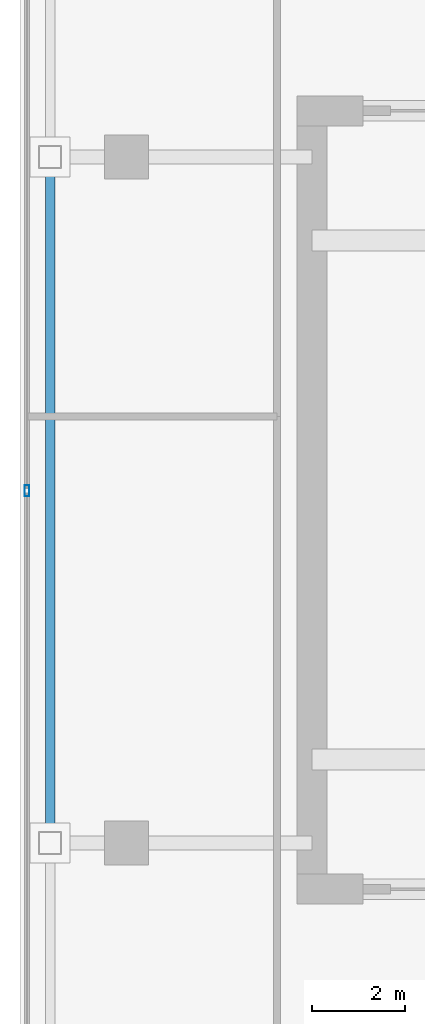
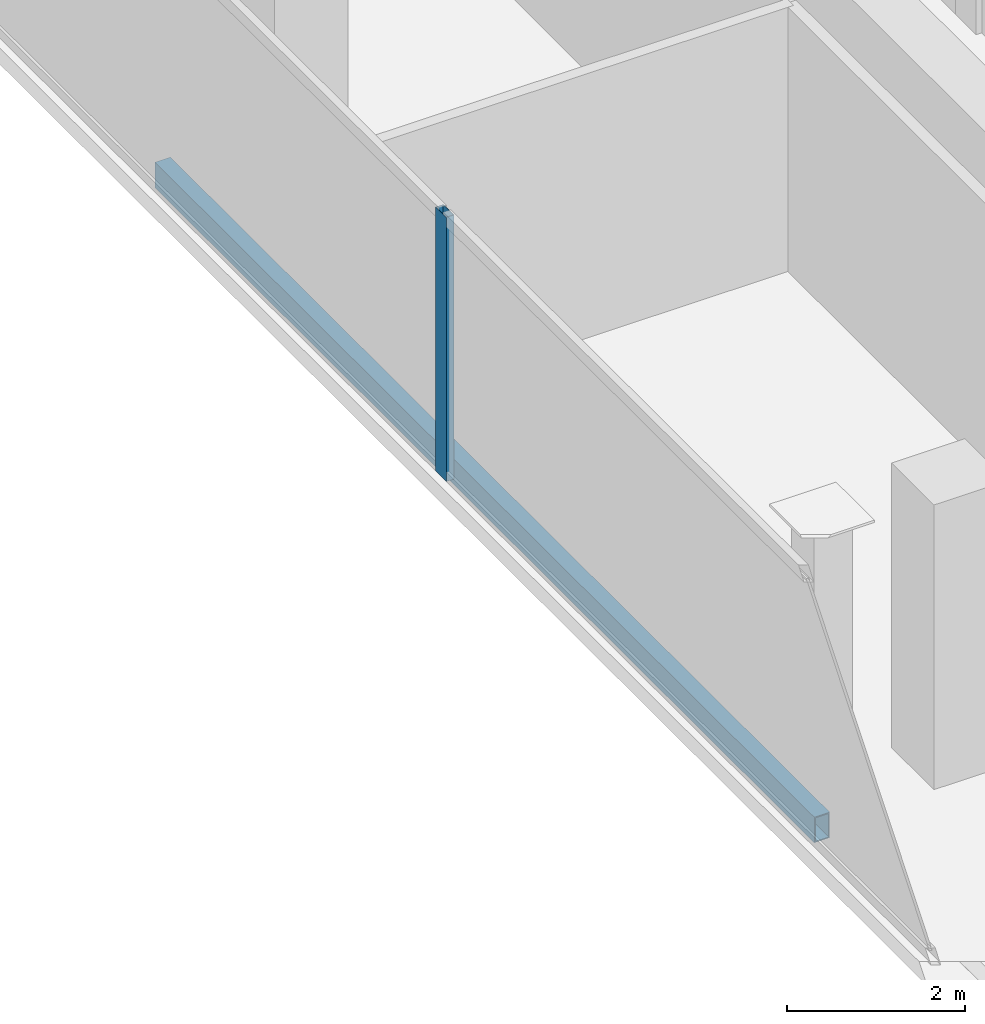
# One storey, part 5 of 22: 1 beam, 1 member, 1 element without a shape of its own.
"""IFC4 building model written with IfcOpenShell, lengths in metres."""

import ifcopenshell
import ifcopenshell.guid

model = None  # the IFC model being written
_history = None  # IfcOwnerHistory: only IFC2X3 demands one
_inside = {}  # id of a spatial element -> (the spatial element, [elements in it])
_under = {}  # id of a project, library or spatial element -> (it, [spatial elements below it])
_declared = {}  # id of a project -> (the project, [libraries it declares])
_typed = {}  # id of a type object -> (the type object, [elements of that type])
_made_of = {}  # id of a material, layer set ... -> (it, [elements and type objects made of it])


def new_model(schema):
    """Start an empty IFC model of exactly this schema.

    Asked for "IFC4X3", IfcOpenShell would pick the latest addendum, in which some entities
    have other attributes; the version numbers below select the first issue.
    IFC2X3 requires an IfcOwnerHistory on every rooted entity: one is made here for all.
    """
    global model, _history
    if schema == "IFC4X3":
        model = ifcopenshell.file(schema_version=(4, 3, 0, 0))
    else:
        model = ifcopenshell.file(schema=schema)
    _inside.clear()
    _under.clear()
    _declared.clear()
    _typed.clear()
    _made_of.clear()
    _history = None
    if model.schema == "IFC2X3":
        org = make("IfcOrganization", Name="unknown")
        user = make(
            "IfcPersonAndOrganization",
            ThePerson=make("IfcPerson", FamilyName="unknown"),
            TheOrganization=org,
        )
        app = make(
            "IfcApplication",
            ApplicationDeveloper=org,
            Version="unknown",
            ApplicationFullName="unknown",
            ApplicationIdentifier="unknown",
        )
        _history = make(
            "IfcOwnerHistory",
            OwningUser=user,
            OwningApplication=app,
            ChangeAction="ADDED",
            CreationDate=0,
        )
    return model


def make(cls, **values):
    """One entity of the class cls with the attributes given. An attribute that is None is left unset."""
    return model.create_entity(
        cls, **{name: value for name, value in values.items() if value is not None}
    )


def rooted(cls, **values):
    """An entity with a GlobalId (a new one), such as an element, a storey or a relation."""
    return make(cls, GlobalId=ifcopenshell.guid.new(), OwnerHistory=_history, **values)


def si_unit(unit_type, name, prefix=None):
    """IfcSIUnit, for example si_unit("LENGTHUNIT", "METRE", prefix="MILLI")."""
    return make("IfcSIUnit", UnitType=unit_type, Prefix=prefix, Name=name)


def assignment(units):
    """IfcUnitAssignment: the units of a project."""
    return None if units is None else make("IfcUnitAssignment", Units=units)


def point(xyz):
    """IfcCartesianPoint."""
    return None if xyz is None else make("IfcCartesianPoint", Coordinates=xyz)


def direction(xyz):
    """IfcDirection."""
    return None if xyz is None else make("IfcDirection", DirectionRatios=xyz)


def frame(location, z_axis=None, x_axis=None):
    """IfcAxis2Placement3D, a coordinate frame: its origin and axes. An axis left out is left unset."""
    return make(
        "IfcAxis2Placement3D",
        Location=point(location),
        Axis=direction(z_axis),
        RefDirection=direction(x_axis),
    )


def frame_2d(location, x_axis=None):
    """IfcAxis2Placement2D, a coordinate frame in the plane: its origin and x axis."""
    return make(
        "IfcAxis2Placement2D", Location=point(location), RefDirection=direction(x_axis)
    )


def origin():
    """The frame at (0, 0, 0) with its axes left unset."""
    return frame((0.0, 0.0, 0.0))


def origin_2d():
    """The frame at (0, 0) in the plane with its x axis left unset."""
    return frame_2d((0.0, 0.0))


def place(relative_to, where):
    """IfcLocalPlacement: puts the frame where relative to a parent placement (None: the world)."""
    return make(
        "IfcLocalPlacement", PlacementRelTo=relative_to, RelativePlacement=where
    )


def context(
    kind, dimensions, precision=None, world=None, true_north=None, identifier=None
):
    """IfcGeometricRepresentationContext, for example the 3D "Model" context."""
    return make(
        "IfcGeometricRepresentationContext",
        ContextIdentifier=identifier,
        ContextType=kind,
        CoordinateSpaceDimension=dimensions,
        Precision=precision,
        WorldCoordinateSystem=world,
        TrueNorth=true_north,
    )


def subcontext(parent, identifier, kind, view, scale=None):
    """IfcGeometricRepresentationSubContext, for example "Body" below "Model"."""
    return make(
        "IfcGeometricRepresentationSubContext",
        ContextIdentifier=identifier,
        ContextType=kind,
        ParentContext=parent,
        TargetScale=scale,
        TargetView=view,
    )


def project(units=None, contexts=None):
    """IfcProject with its units and contexts."""
    return rooted(
        "IfcProject",
        Name="project",
        RepresentationContexts=contexts,
        UnitsInContext=assignment(units),
    )


def spatial(cls, under=None, at=None, **own):
    """A site, building, storey or space (cls), placed at a placement, below another one or the project."""
    s = rooted(cls, ObjectPlacement=at, **own)
    if under is not None:
        _under.setdefault(under.id(), (under, []))[1].append(s)
    return s


def profile(cls, at=None, kind="AREA", **sizes):
    """A parametric profile (cls). Its sizes go by their IFC names, for example OverallWidth=200.0."""
    return make(cls, ProfileType=kind, Position=at, **sizes)


def hollow_rectangle(**sizes):
    """IfcRectangleHollowProfileDef."""
    return profile("IfcRectangleHollowProfileDef", **sizes)


def extrude(swept, where, along, depth):
    """IfcExtrudedAreaSolid: the profile swept, set in the frame where, extruded along a direction by depth."""
    return make(
        "IfcExtrudedAreaSolid",
        SweptArea=swept,
        Position=where,
        ExtrudedDirection=direction(along),
        Depth=depth,
    )


def shape(context_of_items, identifier, shape_type, items):
    """IfcShapeRepresentation: the items that make up one representation, for example the "Body"."""
    return make(
        "IfcShapeRepresentation",
        ContextOfItems=context_of_items,
        RepresentationIdentifier=identifier,
        RepresentationType=shape_type,
        Items=items,
    )


def material(Name=None, Category=None):
    """IfcMaterial."""
    return make("IfcMaterial", Name=Name, Category=Category)


def layer(
    of_material, thickness, ventilated=None, Name=None, Category=None, Priority=None
):
    """IfcMaterialLayer: one layer of a wall or slab, of a material (None: an air gap)."""
    return make(
        "IfcMaterialLayer",
        Material=of_material,
        LayerThickness=thickness,
        IsVentilated=ventilated,
        Name=Name,
        Category=Category,
        Priority=Priority,
    )


def layer_set(layers, Name=None):
    """IfcMaterialLayerSet."""
    return make("IfcMaterialLayerSet", MaterialLayers=layers, LayerSetName=Name)


def material_profile(
    of_material, cross_section, Name=None, Category=None, Priority=None
):
    """IfcMaterialProfile: a cross section and its material."""
    return make(
        "IfcMaterialProfile",
        Name=Name,
        Material=of_material,
        Profile=cross_section,
        Priority=Priority,
        Category=Category,
    )


def profile_set(profiles, Name=None, composite=None):
    """IfcMaterialProfileSet."""
    return make(
        "IfcMaterialProfileSet",
        Name=Name,
        MaterialProfiles=profiles,
        CompositeProfile=composite,
    )


def made_of(thing, what):
    """Note that an element or type object is made of a material, layer set ...; save() writes the relation."""
    if what is not None:
        _made_of.setdefault(what.id(), (what, []))[1].append(thing)
    return thing


def type_object(cls, material=None, **own):
    """A type object (cls), such as IfcWallType, which elements share."""
    return made_of(rooted(cls, **own), material)


def element(
    cls,
    number,
    at=None,
    inside=None,
    cuts=None,
    type_object=None,
    material=None,
    context=None,
    identifier="Body",
    shape_type=None,
    held_by="IfcProductDefinitionShape",
    body=None,
    shapes=None,
    **own,
):
    """One element of the class cls, such as IfcWall. Its Tag is "e" and its number.

    at: its placement. inside: the storey or other place that contains it. cuts: it is an
    opening in that element (IfcRelVoidsElement). A single representation is given by context,
    identifier, shape_type and body (its items); several are given by shapes. held_by: the class
    of the entity that holds the representations. save() writes the other relations.
    """
    e = rooted(cls, Tag="e%d" % number, ObjectPlacement=at, **own)
    if body is not None:
        shapes = [shape(context, identifier, shape_type, body)]
    if shapes is not None:
        e.Representation = make(held_by, Representations=shapes)
    if inside is not None:
        _inside.setdefault(inside.id(), (inside, []))[1].append(e)
    if cuts is not None:
        rooted(
            "IfcRelVoidsElement", RelatingBuildingElement=cuts, RelatedOpeningElement=e
        )
    if type_object is not None:
        _typed.setdefault(type_object.id(), (type_object, []))[1].append(e)
    return made_of(e, material)


def aggregate(whole, parts):
    """IfcRelAggregates: a whole, such as a stair, and the parts it consists of."""
    return rooted("IfcRelAggregates", RelatingObject=whole, RelatedObjects=parts)


def save(model, path):
    """Write the relations noted so far, then the file.

    IfcRelAggregates (storeys below a building ...), IfcRelContainedInSpatialStructure (elements
    in a storey), IfcRelDefinesByType, IfcRelAssociatesMaterial and IfcRelDeclares: one each for
    every whole, place, type object, material and project.
    """
    for whole, parts in _under.values():
        aggregate(whole, parts)
    for where, things in _inside.values():
        rooted(
            "IfcRelContainedInSpatialStructure",
            RelatedElements=things,
            RelatingStructure=where,
        )
    for kind, things in _typed.values():
        rooted("IfcRelDefinesByType", RelatedObjects=things, RelatingType=kind)
    for what, things in _made_of.values():
        rooted("IfcRelAssociatesMaterial", RelatedObjects=things, RelatingMaterial=what)
    for by, libraries in _declared.values():
        rooted("IfcRelDeclares", RelatingContext=by, RelatedDefinitions=libraries)
    model.write(path)


model = new_model("IFC4")

# Units and contexts
model_context = context("Model", 3, precision=1e-05, world=origin(), true_north=direction((0.0, 1.0)))
body_context = subcontext(model_context, "Body", "Model", "MODEL_VIEW")
ifc_project = project(units=[si_unit("LENGTHUNIT", "METRE"), si_unit("AREAUNIT", "SQUARE_METRE"), si_unit("VOLUMEUNIT", "CUBIC_METRE"), si_unit("PLANEANGLEUNIT", "RADIAN"), si_unit("MASSUNIT", "GRAM", prefix="KILO")], contexts=[model_context])

# Site, building, storey
site_placement = place(None, origin())
site = spatial("IfcSite", under=ifc_project, at=site_placement, CompositionType="ELEMENT")
building_placement = place(site_placement, origin())
building = spatial("IfcBuilding", under=site, at=building_placement, Name="Khorvyn Point Tower", CompositionType="ELEMENT")
storey_placement = place(building_placement, frame((0.0, 0.0, 282.0)))
storey = spatial("IfcBuildingStorey", under=building, at=storey_placement, Name="L69", CompositionType="ELEMENT", Elevation=282.0)

# Curtain wall, member
ifc_material_1 = material(Name="Anodised aluminium 6063-T6 and laminated Low-E glass", Category="aluminium")
ifc_layer = layer(ifc_material_1, 0.18994140625)
ifc_layer_set = layer_set([ifc_layer], Name="Stick-Built High-Wind Curtain Wall CW-SYS-04")
curtain_wall_type = type_object("IfcCurtainWallType", Name="Stick-Built High-Wind Curtain Wall CW-SYS-04", PredefinedType="NOTDEFINED", material=ifc_layer_set)
curtain_wall_placement = place(storey_placement, origin())
curtain_wall = element("IfcCurtainWall", 1, at=curtain_wall_placement, inside=storey, type_object=curtain_wall_type, Name="Curtain Wall", PredefinedType="NOTDEFINED")
ifc_material_2 = material(Name="Anodised aluminium 6063-T6", Category="aluminium")
ifc_material_profile_1 = material_profile(ifc_material_2, hollow_rectangle(XDim=0.10009765625, YDim=0.239990234375, WallThickness=0.0048828125, at=origin_2d()))
ifc_profile_set_1 = profile_set([ifc_material_profile_1], Name="Anodised aluminium 6063-T6 ALU-MUL-100x240")
member_type = type_object("IfcMemberType", Name="Anodised Aluminium 6063-T6 Mullion ALU-MUL-100x240", PredefinedType="MULLION", material=ifc_profile_set_1)
member_placement = place(storey_placement, frame((-16.949951171875, 0.199951171875, 0.0), z_axis=(0.0, 0.0, 1.0), x_axis=(-1.0, 0.0, 0.0)))
member = element("IfcMember", 2, at=member_placement, type_object=member_type, Name="Transom", PredefinedType="MULLION", context=body_context, shape_type="SweptSolid", body=[
    extrude(hollow_rectangle(XDim=0.10009765625, YDim=0.239990234375, WallThickness=0.0048828125, at=origin_2d()), origin(), (0.0, 0.0, 1.0), 3.6201171875),
])
aggregate(curtain_wall, [member])

# Beam
ifc_material_3 = material(Name="Steel S355", Category="steel")
ifc_material_profile_2 = material_profile(ifc_material_3, hollow_rectangle(XDim=0.199951171875, YDim=0.35009765625, WallThickness=0.013916015625, at=origin_2d()))
ifc_profile_set_2 = profile_set([ifc_material_profile_2], Name="Steel S355 RHS350x200x14")
beam_type = type_object("IfcBeamType", Name="Steel S355 Spandrel RHS350x200x14", PredefinedType="SPANDREL", material=ifc_profile_set_2)
beam_placement = place(storey_placement, frame((-16.449951171875, -7.39990234375, -0.39501953125), z_axis=(0.0, 1.0, 0.0), x_axis=(-1.0, 0.0, 0.0)))
element("IfcBeam", 3, at=beam_placement, inside=storey, type_object=beam_type, Name="Beam", PredefinedType="SPANDREL", context=body_context, shape_type="SweptSolid", body=[
    extrude(hollow_rectangle(XDim=0.199951171875, YDim=0.35009765625, WallThickness=0.013916015625, at=origin_2d()), origin(), (0.0, 0.0, 1.0), 14.7998046875),
])

save(model, "model.ifc")
